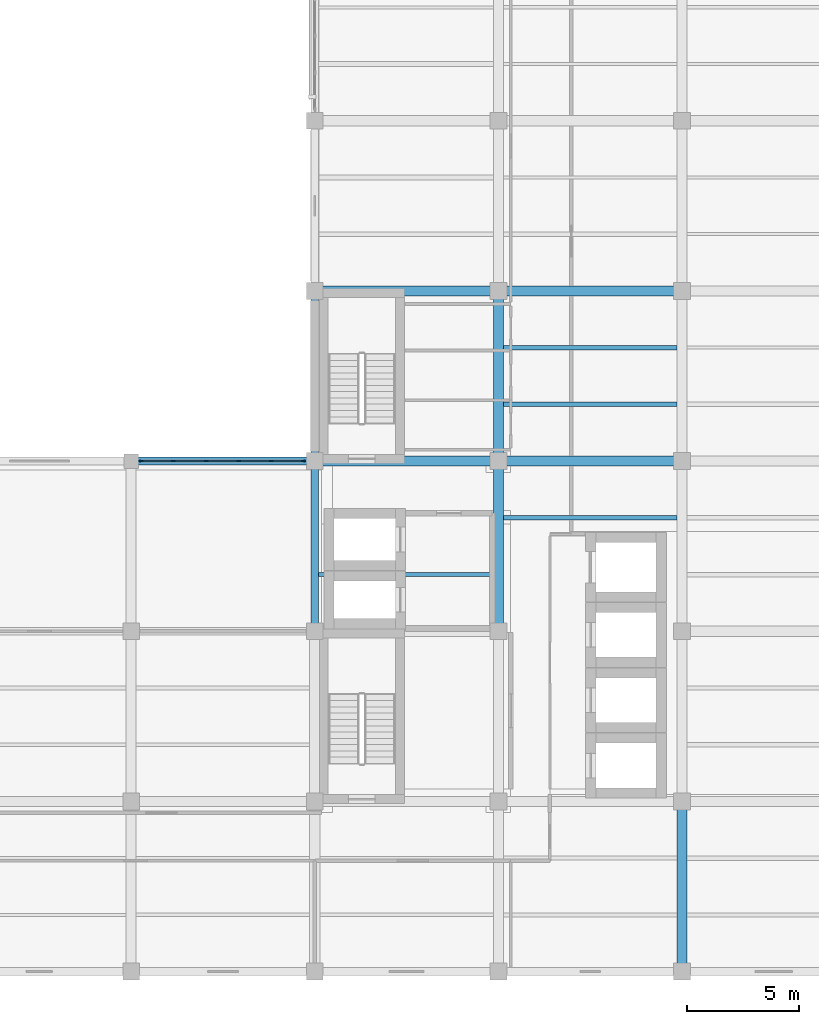
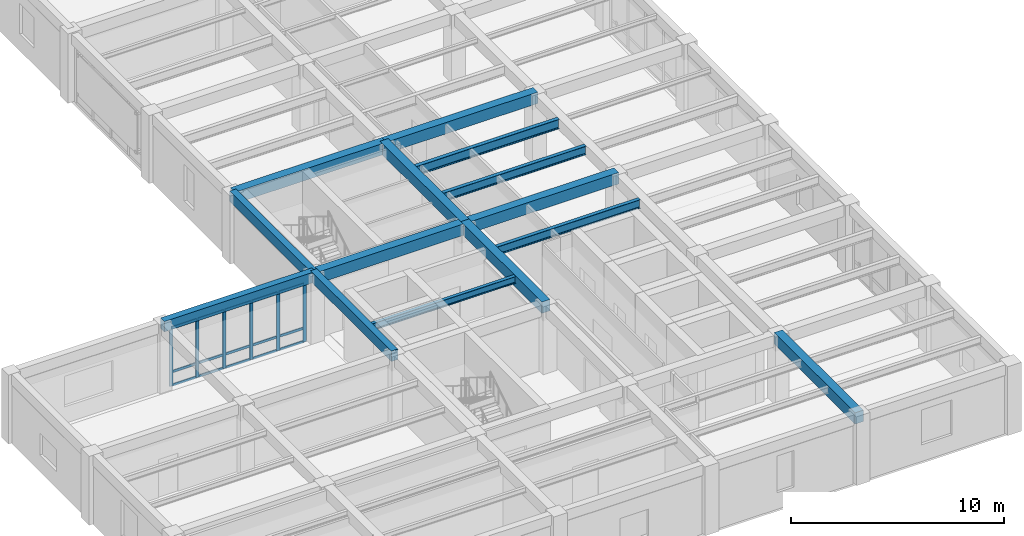
# One storey, part 2 of 14: 21 members, 14 beams, 1 element without a shape of its own.
"""IFC4 building model written with IfcOpenShell, lengths in metres."""

from ifc_helpers import new_model, si_unit, direction, frame, origin, origin_2d, place, context, subcontext, project, spatial, rectangle, i_section, extrude, material, material_profile, profile_set, type_object, element, aggregate, save


model = new_model("IFC4")

# Units and contexts
model_context = context("Model", 3, precision=1e-05, world=origin(), true_north=direction((0.0, 1.0)))
body_context = subcontext(model_context, "Body", "Model", "MODEL_VIEW")
ifc_project = project(units=[si_unit("LENGTHUNIT", "METRE"), si_unit("AREAUNIT", "SQUARE_METRE"), si_unit("VOLUMEUNIT", "CUBIC_METRE"), si_unit("PLANEANGLEUNIT", "RADIAN"), si_unit("MASSUNIT", "GRAM", prefix="KILO")], contexts=[model_context])

# Site, building, storey
site_placement = place(None, origin())
site = spatial("IfcSite", under=ifc_project, at=site_placement, CompositionType="ELEMENT")
building_placement = place(site_placement, origin())
building = spatial("IfcBuilding", under=site, at=building_placement, Name="Qandaris Square Conservatory and Botanical Centre", CompositionType="ELEMENT")
storey_placement = place(building_placement, frame((0.0, 0.0, 49.199951171875)))
storey = spatial("IfcBuildingStorey", under=building, at=storey_placement, Name="L11", CompositionType="ELEMENT", Elevation=49.199951171875)

# Beams
ifc_material_1 = material(Name="Steel S355", Category="steel")
ifc_material_profile_1 = material_profile(ifc_material_1, i_section(OverallWidth=0.199951171875, OverallDepth=0.5, WebThickness=0.01025390625, FlangeThickness=0.01611328125, FilletRadius=0.02099609375, at=origin_2d()), Name="IPE 500")
ifc_profile_set_1 = profile_set([ifc_material_profile_1], Name="Steel S355")
beam_type_1 = type_object("IfcBeamType", Name="Composite Gallery Joist IPE 500", PredefinedType="JOIST", material=ifc_profile_set_1)
for number, where, z_axis, x_axis, name in (
    (1, (147.625, 36.86669921875, 3.64013671875), (1.0, 0.0, 0.0), (0.0, 1.0, 0.0), "L11 Composite Joist 2625"),
    (2, (147.625, 41.933349609375, 3.64013671875), (1.0, 0.0, 0.0), (0.0, 1.0, 0.0), "L11 Composite Joist 2626"),
):
    element("IfcBeam", number, at=place(storey_placement, frame(where, z_axis=z_axis, x_axis=x_axis)), inside=storey, type_object=beam_type_1, Name=name, PredefinedType="JOIST", context=body_context, shape_type="SweptSolid", body=[
        extrude(i_section(OverallWidth=0.199951171875, OverallDepth=0.5, WebThickness=0.01025390625, FlangeThickness=0.01611328125, FilletRadius=0.02099609375, at=origin_2d()), origin(), (0.0, 0.0, 1.0), 7.75),
    ])
ifc_material_profile_2 = material_profile(ifc_material_1, i_section(OverallWidth=0.179931640625, OverallDepth=0.39990234375, WebThickness=0.008544921875, FlangeThickness=0.013427734375, FilletRadius=0.02099609375, at=origin_2d()), Name="IPE 400")
ifc_profile_set_2 = profile_set([ifc_material_profile_2], Name="Steel S355")
beam_type_2 = type_object("IfcBeamType", Name="Composite Plinth Joist IPE 400", PredefinedType="JOIST", material=ifc_profile_set_2)
beam_1_placement = place(storey_placement, frame((139.375, 34.333251953125, 3.68994140625), z_axis=(1.0, 0.0, 0.0), x_axis=(0.0, 1.0, 0.0)))
element("IfcBeam", 3, at=beam_1_placement, inside=storey, type_object=beam_type_2, Name="L11 Composite Joist 2618", PredefinedType="JOIST", context=body_context, shape_type="SweptSolid", body=[
    extrude(i_section(OverallWidth=0.179931640625, OverallDepth=0.39990234375, WebThickness=0.008544921875, FlangeThickness=0.013427734375, FilletRadius=0.02099609375, at=origin_2d()), origin(), (0.0, 0.0, 1.0), 7.800048828125),
])

# Curtain wall, members
ifc_material_2 = material(Name="Anodised Aluminium", Category="aluminium")
curtain_wall_type = type_object("IfcCurtainWallType", Name="Unitised Curtain Wall CW-4-730x334", PredefinedType="USERDEFINED", material=ifc_material_2)
curtain_wall_placement = place(storey_placement, origin())
curtain_wall = element("IfcCurtainWall", 4, at=curtain_wall_placement, inside=storey, type_object=curtain_wall_type, Name="Curtain Wall CW-TWR-L11-5-1", ObjectType="GLAZED CURTAIN WALL", PredefinedType="USERDEFINED")
ifc_material_profile_3 = material_profile(ifc_material_2, rectangle(XDim=0.06494140625, YDim=0.179931640625, at=origin_2d()), Name="ALU-MUL 65x180")
ifc_profile_set_3 = profile_set([ifc_material_profile_3], Name="Anodised Aluminium")
member_type_1 = type_object("IfcMemberType", Name="Curtain Wall Mullion 65x180", PredefinedType="MULLION", material=ifc_profile_set_3)
member_1_placement = place(storey_placement, frame((138.6923828125, 39.39990234375, 0.0), z_axis=(0.0, 0.0, 1.0), x_axis=(0.0, -1.0, 0.0)))
member_1 = element("IfcMember", 5, at=member_1_placement, type_object=member_type_1, Name="CW-4-730x334 mullion 1", PredefinedType="MULLION", context=body_context, shape_type="SweptSolid", body=[
    extrude(rectangle(XDim=0.06494140625, YDim=0.179931640625, at=origin_2d()), origin(), (0.0, 0.0, 1.0), 3.344970703125),
])
member_2_placement = place(storey_placement, frame((137.264892578125, 39.39990234375, 0.0), z_axis=(0.0, 0.0, 1.0), x_axis=(0.0, -1.0, 0.0)))
member_2 = element("IfcMember", 6, at=member_2_placement, type_object=member_type_1, Name="CW-4-730x334 mullion 2", PredefinedType="MULLION", context=body_context, shape_type="SweptSolid", body=[
    extrude(rectangle(XDim=0.06494140625, YDim=0.179931640625, at=origin_2d()), origin(), (0.0, 0.0, 1.0), 3.344970703125),
])
member_3_placement = place(storey_placement, frame((135.804931640625, 39.39990234375, 0.0), z_axis=(0.0, 0.0, 1.0), x_axis=(0.0, -1.0, 0.0)))
member_3 = element("IfcMember", 7, at=member_3_placement, type_object=member_type_1, Name="CW-4-730x334 mullion 3", PredefinedType="MULLION", context=body_context, shape_type="SweptSolid", body=[
    extrude(rectangle(XDim=0.06494140625, YDim=0.179931640625, at=origin_2d()), origin(), (0.0, 0.0, 1.0), 3.344970703125),
])
member_4_placement = place(storey_placement, frame((134.344970703125, 39.39990234375, 0.0), z_axis=(0.0, 0.0, 1.0), x_axis=(0.0, -1.0, 0.0)))
member_4 = element("IfcMember", 8, at=member_4_placement, type_object=member_type_1, Name="CW-4-730x334 mullion 4", PredefinedType="MULLION", context=body_context, shape_type="SweptSolid", body=[
    extrude(rectangle(XDim=0.06494140625, YDim=0.179931640625, at=origin_2d()), origin(), (0.0, 0.0, 1.0), 3.344970703125),
])
member_5_placement = place(storey_placement, frame((132.885009765625, 39.39990234375, 0.0), z_axis=(0.0, 0.0, 1.0), x_axis=(0.0, -1.0, 0.0)))
member_5 = element("IfcMember", 9, at=member_5_placement, type_object=member_type_1, Name="CW-4-730x334 mullion 5", PredefinedType="MULLION", context=body_context, shape_type="SweptSolid", body=[
    extrude(rectangle(XDim=0.06494140625, YDim=0.179931640625, at=origin_2d()), origin(), (0.0, 0.0, 1.0), 3.344970703125),
])
member_6_placement = place(storey_placement, frame((131.45751953125, 39.39990234375, 0.0), z_axis=(0.0, 0.0, 1.0), x_axis=(0.0, -1.0, 0.0)))
member_6 = element("IfcMember", 10, at=member_6_placement, type_object=member_type_1, Name="CW-4-730x334 mullion 6", PredefinedType="MULLION", context=body_context, shape_type="SweptSolid", body=[
    extrude(rectangle(XDim=0.06494140625, YDim=0.179931640625, at=origin_2d()), origin(), (0.0, 0.0, 1.0), 3.344970703125),
])
ifc_material_profile_4 = material_profile(ifc_material_2, rectangle(XDim=0.06494140625, YDim=0.139892578125, at=origin_2d()), Name="ALU-TRN 65x140")
ifc_profile_set_4 = profile_set([ifc_material_profile_4], Name="Anodised Aluminium")
member_type_2 = type_object("IfcMemberType", Name="Curtain Wall Transom 65x140", PredefinedType="USERDEFINED", material=ifc_profile_set_4)
member_7_placement = place(storey_placement, frame((138.659912109375, 39.39990234375, 0.032470703125), z_axis=(-1.0, 0.0, 0.0), x_axis=(0.0, -1.0, 0.0)))
member_7 = element("IfcMember", 11, at=member_7_placement, type_object=member_type_2, Name="CW-4-730x334 transom 1.1", ObjectType="TRANSOM", PredefinedType="USERDEFINED", context=body_context, shape_type="SweptSolid", body=[
    extrude(rectangle(XDim=0.06494140625, YDim=0.139892578125, at=origin_2d()), origin(), (0.0, 0.0, 1.0), 1.3623046875),
])
member_8_placement = place(storey_placement, frame((138.659912109375, 39.39990234375, 0.802734375), z_axis=(-1.0, 0.0, 0.0), x_axis=(0.0, -1.0, 0.0)))
member_8 = element("IfcMember", 12, at=member_8_placement, type_object=member_type_2, Name="CW-4-730x334 transom 1.2", ObjectType="TRANSOM", PredefinedType="USERDEFINED", context=body_context, shape_type="SweptSolid", body=[
    extrude(rectangle(XDim=0.06494140625, YDim=0.139892578125, at=origin_2d()), origin(), (0.0, 0.0, 1.0), 1.3623046875),
])
member_9_placement = place(storey_placement, frame((138.659912109375, 39.39990234375, 3.3125), z_axis=(-1.0, 0.0, 0.0), x_axis=(0.0, -1.0, 0.0)))
member_9 = element("IfcMember", 13, at=member_9_placement, type_object=member_type_2, Name="CW-4-730x334 transom 1.3", ObjectType="TRANSOM", PredefinedType="USERDEFINED", context=body_context, shape_type="SweptSolid", body=[
    extrude(rectangle(XDim=0.06494140625, YDim=0.139892578125, at=origin_2d()), origin(), (0.0, 0.0, 1.0), 1.3623046875),
])
member_10_placement = place(storey_placement, frame((137.232421875, 39.39990234375, 0.032470703125), z_axis=(-1.0, 0.0, 0.0), x_axis=(0.0, -1.0, 0.0)))
member_10 = element("IfcMember", 14, at=member_10_placement, type_object=member_type_2, Name="CW-4-730x334 transom 2.1", ObjectType="TRANSOM", PredefinedType="USERDEFINED", context=body_context, shape_type="SweptSolid", body=[
    extrude(rectangle(XDim=0.06494140625, YDim=0.139892578125, at=origin_2d()), origin(), (0.0, 0.0, 1.0), 1.39501953125),
])
member_11_placement = place(storey_placement, frame((137.232421875, 39.39990234375, 0.802734375), z_axis=(-1.0, 0.0, 0.0), x_axis=(0.0, -1.0, 0.0)))
member_11 = element("IfcMember", 15, at=member_11_placement, type_object=member_type_2, Name="CW-4-730x334 transom 2.2", ObjectType="TRANSOM", PredefinedType="USERDEFINED", context=body_context, shape_type="SweptSolid", body=[
    extrude(rectangle(XDim=0.06494140625, YDim=0.139892578125, at=origin_2d()), origin(), (0.0, 0.0, 1.0), 1.39501953125),
])
member_12_placement = place(storey_placement, frame((137.232421875, 39.39990234375, 3.3125), z_axis=(-1.0, 0.0, 0.0), x_axis=(0.0, -1.0, 0.0)))
member_12 = element("IfcMember", 16, at=member_12_placement, type_object=member_type_2, Name="CW-4-730x334 transom 2.3", ObjectType="TRANSOM", PredefinedType="USERDEFINED", context=body_context, shape_type="SweptSolid", body=[
    extrude(rectangle(XDim=0.06494140625, YDim=0.139892578125, at=origin_2d()), origin(), (0.0, 0.0, 1.0), 1.39501953125),
])
member_13_placement = place(storey_placement, frame((135.7724609375, 39.39990234375, 0.032470703125), z_axis=(-1.0, 0.0, 0.0), x_axis=(0.0, -1.0, 0.0)))
member_13 = element("IfcMember", 17, at=member_13_placement, type_object=member_type_2, Name="CW-4-730x334 transom 3.1", ObjectType="TRANSOM", PredefinedType="USERDEFINED", context=body_context, shape_type="SweptSolid", body=[
    extrude(rectangle(XDim=0.06494140625, YDim=0.139892578125, at=origin_2d()), origin(), (0.0, 0.0, 1.0), 1.39501953125),
])
member_14_placement = place(storey_placement, frame((135.7724609375, 39.39990234375, 0.802734375), z_axis=(-1.0, 0.0, 0.0), x_axis=(0.0, -1.0, 0.0)))
member_14 = element("IfcMember", 18, at=member_14_placement, type_object=member_type_2, Name="CW-4-730x334 transom 3.2", ObjectType="TRANSOM", PredefinedType="USERDEFINED", context=body_context, shape_type="SweptSolid", body=[
    extrude(rectangle(XDim=0.06494140625, YDim=0.139892578125, at=origin_2d()), origin(), (0.0, 0.0, 1.0), 1.39501953125),
])
member_15_placement = place(storey_placement, frame((135.7724609375, 39.39990234375, 3.3125), z_axis=(-1.0, 0.0, 0.0), x_axis=(0.0, -1.0, 0.0)))
member_15 = element("IfcMember", 19, at=member_15_placement, type_object=member_type_2, Name="CW-4-730x334 transom 3.3", ObjectType="TRANSOM", PredefinedType="USERDEFINED", context=body_context, shape_type="SweptSolid", body=[
    extrude(rectangle(XDim=0.06494140625, YDim=0.139892578125, at=origin_2d()), origin(), (0.0, 0.0, 1.0), 1.39501953125),
])
member_16_placement = place(storey_placement, frame((134.3125, 39.39990234375, 0.032470703125), z_axis=(-1.0, 0.0, 0.0), x_axis=(0.0, -1.0, 0.0)))
member_16 = element("IfcMember", 20, at=member_16_placement, type_object=member_type_2, Name="CW-4-730x334 transom 4.1", ObjectType="TRANSOM", PredefinedType="USERDEFINED", context=body_context, shape_type="SweptSolid", body=[
    extrude(rectangle(XDim=0.06494140625, YDim=0.139892578125, at=origin_2d()), origin(), (0.0, 0.0, 1.0), 1.39501953125),
])
member_17_placement = place(storey_placement, frame((134.3125, 39.39990234375, 0.802734375), z_axis=(-1.0, 0.0, 0.0), x_axis=(0.0, -1.0, 0.0)))
member_17 = element("IfcMember", 21, at=member_17_placement, type_object=member_type_2, Name="CW-4-730x334 transom 4.2", ObjectType="TRANSOM", PredefinedType="USERDEFINED", context=body_context, shape_type="SweptSolid", body=[
    extrude(rectangle(XDim=0.06494140625, YDim=0.139892578125, at=origin_2d()), origin(), (0.0, 0.0, 1.0), 1.39501953125),
])
member_18_placement = place(storey_placement, frame((134.3125, 39.39990234375, 3.3125), z_axis=(-1.0, 0.0, 0.0), x_axis=(0.0, -1.0, 0.0)))
member_18 = element("IfcMember", 22, at=member_18_placement, type_object=member_type_2, Name="CW-4-730x334 transom 4.3", ObjectType="TRANSOM", PredefinedType="USERDEFINED", context=body_context, shape_type="SweptSolid", body=[
    extrude(rectangle(XDim=0.06494140625, YDim=0.139892578125, at=origin_2d()), origin(), (0.0, 0.0, 1.0), 1.39501953125),
])
member_19_placement = place(storey_placement, frame((132.8525390625, 39.39990234375, 0.032470703125), z_axis=(-1.0, 0.0, 0.0), x_axis=(0.0, -1.0, 0.0)))
member_19 = element("IfcMember", 23, at=member_19_placement, type_object=member_type_2, Name="CW-4-730x334 transom 5.1", ObjectType="TRANSOM", PredefinedType="USERDEFINED", context=body_context, shape_type="SweptSolid", body=[
    extrude(rectangle(XDim=0.06494140625, YDim=0.139892578125, at=origin_2d()), origin(), (0.0, 0.0, 1.0), 1.362548828125),
])
member_20_placement = place(storey_placement, frame((132.8525390625, 39.39990234375, 0.802734375), z_axis=(-1.0, 0.0, 0.0), x_axis=(0.0, -1.0, 0.0)))
member_20 = element("IfcMember", 24, at=member_20_placement, type_object=member_type_2, Name="CW-4-730x334 transom 5.2", ObjectType="TRANSOM", PredefinedType="USERDEFINED", context=body_context, shape_type="SweptSolid", body=[
    extrude(rectangle(XDim=0.06494140625, YDim=0.139892578125, at=origin_2d()), origin(), (0.0, 0.0, 1.0), 1.362548828125),
])
member_21_placement = place(storey_placement, frame((132.8525390625, 39.39990234375, 3.3125), z_axis=(-1.0, 0.0, 0.0), x_axis=(0.0, -1.0, 0.0)))
member_21 = element("IfcMember", 25, at=member_21_placement, type_object=member_type_2, Name="CW-4-730x334 transom 5.3", ObjectType="TRANSOM", PredefinedType="USERDEFINED", context=body_context, shape_type="SweptSolid", body=[
    extrude(rectangle(XDim=0.06494140625, YDim=0.139892578125, at=origin_2d()), origin(), (0.0, 0.0, 1.0), 1.362548828125),
])
aggregate(curtain_wall, [member_1, member_2, member_3, member_4, member_5, member_6, member_7, member_8, member_9, member_10, member_11, member_12, member_13, member_14, member_15, member_16, member_17, member_18, member_19, member_20, member_21])

# Beams
ifc_material_profile_5 = material_profile(ifc_material_1, i_section(OverallWidth=0.2099609375, OverallDepth=0.550048828125, WebThickness=0.010986328125, FlangeThickness=0.01708984375, FilletRadius=0.02392578125, at=origin_2d()), Name="IPE 550")
ifc_profile_set_5 = profile_set([ifc_material_profile_5], Name="Steel S355")
beam_type_3 = type_object("IfcBeamType", Name="Long-Span Foyer Joist IPE 550", PredefinedType="JOIST", material=ifc_profile_set_5)
beam_2_placement = place(storey_placement, frame((147.625, 44.466796875, 3.614990234375), z_axis=(1.0, 0.0, 0.0), x_axis=(0.0, 1.0, 0.0)))
element("IfcBeam", 26, at=beam_2_placement, inside=storey, type_object=beam_type_3, Name="L11 Composite Joist 2627", PredefinedType="JOIST", context=body_context, shape_type="SweptSolid", body=[
    extrude(i_section(OverallWidth=0.2099609375, OverallDepth=0.550048828125, WebThickness=0.010986328125, FlangeThickness=0.01708984375, FilletRadius=0.02392578125, at=origin_2d()), origin(), (0.0, 0.0, 1.0), 7.75),
])
ifc_material_3 = material(Name="Concrete C50/60", Category="concrete")
ifc_material_profile_6 = material_profile(ifc_material_3, rectangle(XDim=0.35009765625, YDim=0.60009765625, at=origin_2d()), Name="RC-SP 350x600")
ifc_profile_set_6 = profile_set([ifc_material_profile_6], Name="Concrete C50/60")
beam_type_4 = type_object("IfcBeamType", Name="RC Edge Spandrel Beam 350x600", PredefinedType="SPANDREL", material=ifc_profile_set_6)
beam_3_placement = place(storey_placement, frame((131.0, 39.39990234375, 3.64501953125), z_axis=(1.0, 0.0, 0.0), x_axis=(0.0, 1.0, 0.0)))
element("IfcBeam", 27, at=beam_3_placement, inside=storey, type_object=beam_type_4, Name="L11 Frame Beam 2558", PredefinedType="SPANDREL", context=body_context, shape_type="SweptSolid", body=[
    extrude(rectangle(XDim=0.35009765625, YDim=0.60009765625, at=origin_2d()), origin(), (0.0, 0.0, 1.0), 8.199951171875),
])
beam_4_placement = place(storey_placement, frame((139.199951171875, 31.800048828125, 3.64501953125), z_axis=(0.0, 1.0, 0.0), x_axis=(-1.0, 0.0, 0.0)))
element("IfcBeam", 28, at=beam_4_placement, inside=storey, type_object=beam_type_4, Name="L11 Frame Beam 2582", PredefinedType="SPANDREL", context=body_context, shape_type="SweptSolid", body=[
    extrude(rectangle(XDim=0.35009765625, YDim=0.60009765625, at=origin_2d()), origin(), (0.0, 0.0, 1.0), 7.599853515625),
])
beam_5_placement = place(storey_placement, frame((139.199951171875, 39.39990234375, 3.60009765625), z_axis=(0.0, 1.0, 0.0), x_axis=(-1.0, 0.0, 0.0)))
element("IfcBeam", 29, at=beam_5_placement, inside=storey, type_object=beam_type_4, Name="L11 Frame Beam 2583", PredefinedType="SPANDREL", context=body_context, shape_type="SweptSolid", body=[
    extrude(rectangle(XDim=0.35009765625, YDim=0.60009765625, at=origin_2d()), origin(), (0.0, 0.0, 1.0), 7.60009765625),
])
ifc_material_profile_7 = material_profile(ifc_material_3, rectangle(XDim=0.449951171875, YDim=0.64990234375, at=origin_2d()), Name="RC-BM 450x650")
ifc_profile_set_7 = profile_set([ifc_material_profile_7], Name="Concrete C50/60")
beam_type_5 = type_object("IfcBeamType", Name="RC Floor Girder 450x650", PredefinedType="BEAM", material=ifc_profile_set_7)
beam_6_placement = place(storey_placement, frame((139.199951171875, 39.39990234375, 3.574951171875), z_axis=(1.0, 0.0, 0.0), x_axis=(0.0, 1.0, 0.0)))
element("IfcBeam", 30, at=beam_6_placement, inside=storey, type_object=beam_type_5, Name="L11 Frame Beam 2559", PredefinedType="BEAM", context=body_context, shape_type="SweptSolid", body=[
    extrude(rectangle(XDim=0.449951171875, YDim=0.64990234375, at=origin_2d()), origin(), (0.0, 0.0, 1.0), 8.199951171875),
])
beam_7_placement = place(storey_placement, frame((147.39990234375, 39.39990234375, 3.574951171875), z_axis=(1.0, 0.0, 0.0), x_axis=(0.0, 1.0, 0.0)))
element("IfcBeam", 31, at=beam_7_placement, inside=storey, type_object=beam_type_5, Name="L11 Frame Beam 2560", PredefinedType="BEAM", context=body_context, shape_type="SweptSolid", body=[
    extrude(rectangle(XDim=0.449951171875, YDim=0.64990234375, at=origin_2d()), origin(), (0.0, 0.0, 1.0), 8.2001953125),
])
beam_8_placement = place(storey_placement, frame((139.199951171875, 47.0, 3.574951171875), z_axis=(1.0, 0.0, 0.0), x_axis=(0.0, 1.0, 0.0)))
element("IfcBeam", 32, at=beam_8_placement, inside=storey, type_object=beam_type_5, Name="L11 Frame Beam 2562", PredefinedType="BEAM", context=body_context, shape_type="SweptSolid", body=[
    extrude(rectangle(XDim=0.449951171875, YDim=0.64990234375, at=origin_2d()), origin(), (0.0, 0.0, 1.0), 8.199951171875),
])
beam_9_placement = place(storey_placement, frame((147.39990234375, 47.0, 3.574951171875), z_axis=(1.0, 0.0, 0.0), x_axis=(0.0, 1.0, 0.0)))
element("IfcBeam", 33, at=beam_9_placement, inside=storey, type_object=beam_type_5, Name="L11 Frame Beam 2563", PredefinedType="BEAM", context=body_context, shape_type="SweptSolid", body=[
    extrude(rectangle(XDim=0.449951171875, YDim=0.64990234375, at=origin_2d()), origin(), (0.0, 0.0, 1.0), 8.2001953125),
])
beam_10_placement = place(storey_placement, frame((147.39990234375, 31.800048828125, 3.574951171875), z_axis=(0.0, 1.0, 0.0), x_axis=(-1.0, 0.0, 0.0)))
element("IfcBeam", 34, at=beam_10_placement, inside=storey, type_object=beam_type_5, Name="L11 Frame Beam 2589", PredefinedType="BEAM", context=body_context, shape_type="SweptSolid", body=[
    extrude(rectangle(XDim=0.449951171875, YDim=0.64990234375, at=origin_2d()), origin(), (0.0, 0.0, 1.0), 7.599853515625),
])
beam_11_placement = place(storey_placement, frame((147.39990234375, 39.39990234375, 3.574951171875), z_axis=(0.0, 1.0, 0.0), x_axis=(-1.0, 0.0, 0.0)))
element("IfcBeam", 35, at=beam_11_placement, inside=storey, type_object=beam_type_5, Name="L11 Frame Beam 2590", PredefinedType="BEAM", context=body_context, shape_type="SweptSolid", body=[
    extrude(rectangle(XDim=0.449951171875, YDim=0.64990234375, at=origin_2d()), origin(), (0.0, 0.0, 1.0), 7.60009765625),
])
beam_12_placement = place(storey_placement, frame((155.60009765625, 16.60009765625, 3.574951171875), z_axis=(0.0, 1.0, 0.0), x_axis=(-1.0, 0.0, 0.0)))
element("IfcBeam", 36, at=beam_12_placement, inside=storey, type_object=beam_type_5, Name="L11 Frame Beam 2594", PredefinedType="BEAM", context=body_context, shape_type="SweptSolid", body=[
    extrude(rectangle(XDim=0.449951171875, YDim=0.64990234375, at=origin_2d()), origin(), (0.0, 0.0, 1.0), 7.599853515625),
])

save(model, "model.ifc")
